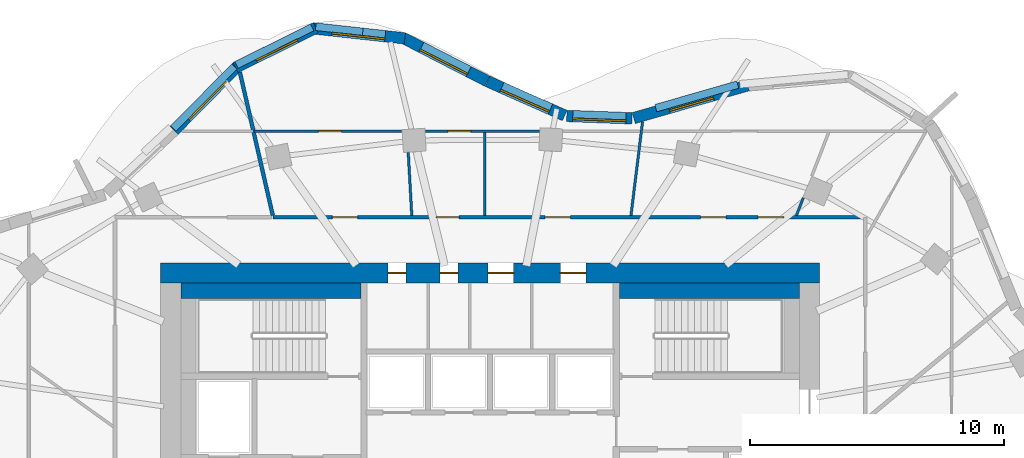
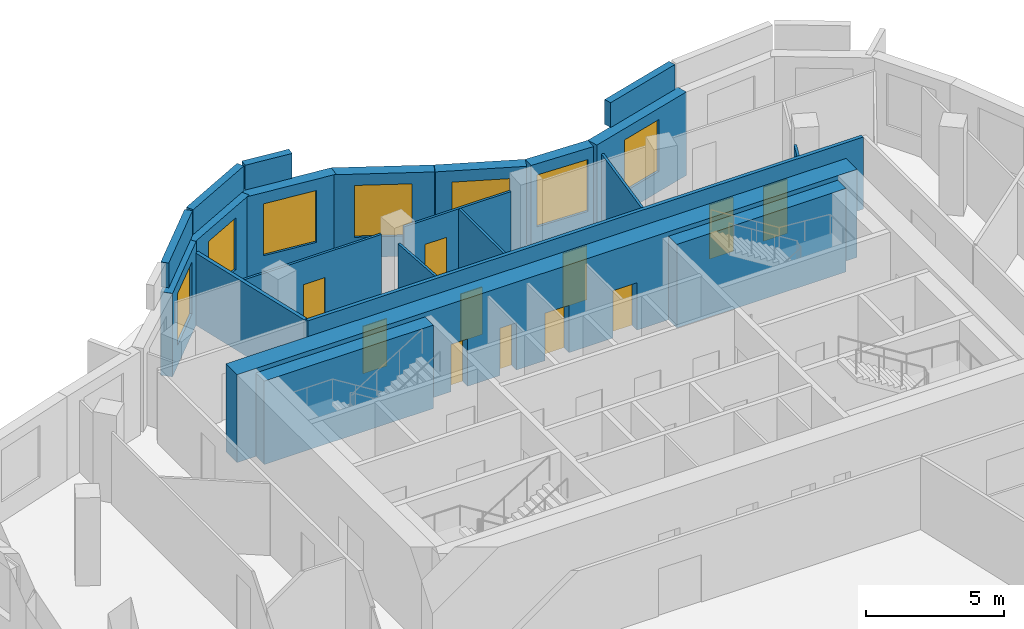
# One storey, part 7 of 9: 22 walls, 11 doors, 7 windows, 18 openings.
"""IFC4 building model written with IfcOpenShell, lengths in metres."""

from ifc_helpers import new_model, si_unit, direction, frame, frame_2d, origin, place, context, subcontext, project, spatial, rectangle, extrude, material, layer, layer_set, type_object, element, fill, save


model = new_model("IFC4")

# Units and contexts
model_context = context("Model", 3, precision=1e-05, world=origin(), true_north=direction((0.0, 1.0)))
body_context = subcontext(model_context, "Body", "Model", "MODEL_VIEW")
ifc_project = project(units=[si_unit("LENGTHUNIT", "METRE"), si_unit("AREAUNIT", "SQUARE_METRE"), si_unit("VOLUMEUNIT", "CUBIC_METRE"), si_unit("PLANEANGLEUNIT", "RADIAN"), si_unit("MASSUNIT", "GRAM", prefix="KILO")], contexts=[model_context])

# Site, building, storey
site_placement = place(None, origin())
site = spatial("IfcSite", under=ifc_project, at=site_placement, CompositionType="ELEMENT")
building_placement = place(site_placement, origin())
building = spatial("IfcBuilding", under=site, at=building_placement, Name="Rubra Terraces Tower", CompositionType="ELEMENT")
storey_placement = place(building_placement, frame((0.0, 0.0, 272.699951171875)))
storey = spatial("IfcBuildingStorey", under=building, at=storey_placement, Name="L67", CompositionType="ELEMENT", Elevation=272.699951171875)

# Wall, opening, window
ifc_material_1 = material(Name="Brick masonry red-brown", Category="masonry")
ifc_layer_1 = layer(ifc_material_1, 0.449951171875)
ifc_layer_set_1 = layer_set([ifc_layer_1], Name="Brick masonry red-brown")
wall_type_1 = type_object("IfcWallType", Name="Brick facade wall 450", PredefinedType="SOLIDWALL", material=ifc_layer_set_1)
wall_1_placement = place(storey_placement, frame((10.16748046875, 19.0068359375, 0.0), z_axis=(0.0, 0.0, 1.0), x_axis=(-0.961104057783, -0.276186513271, 0.0)))
wall_1 = element("IfcWall", 1, at=wall_1_placement, inside=storey, type_object=wall_type_1, Name="Facade wall L67 bay 8", PredefinedType="SOLIDWALL", context=body_context, shape_type="SweptSolid", body=[
    extrude(rectangle(XDim=4.68603515625, YDim=0.449951171875, at=frame_2d((2.343017578125, 0.0))), origin(), (0.0, 0.0, 1.0), 3.699951171875),
])
opening_1_placement = place(wall_1_placement, frame((1.443115234375, 0.0, 0.89990234375)))
opening_1 = element("IfcOpeningElement", 2, at=opening_1_placement, cuts=wall_1, Name="Opening W6B", PredefinedType="OPENING", context=body_context, shape_type="SweptSolid", body=[
    extrude(rectangle(XDim=1.800048828125, YDim=2.300048828125, at=frame_2d((0.89990234375, 1.14990234375))), frame((0.0, 0.23486328125, 0.0), z_axis=(0.0, -1.0, 0.0), x_axis=(1.0, 0.0, 0.0)), (0.0, 0.0, 1.0), 0.469970703125),
])
ifc_material_2 = material(Name="Clear glass in aluminium frame", Category="aluminium")
window_type_1 = type_object("IfcWindowType", Name="Fixed deep-set window at wind fin tall storey 1800 x 2300", PartitioningType="SINGLE_PANEL", PredefinedType="WINDOW", material=ifc_material_2)
window_1_placement = place(opening_1_placement, origin())
window_1 = element("IfcWindow", 3, at=window_1_placement, inside=storey, type_object=window_type_1, Name="Window L67 bay 8", OverallHeight=2.300048828125, OverallWidth=1.800048828125, PartitioningType="SINGLE_PANEL", PredefinedType="WINDOW", context=body_context, shape_type="SweptSolid", body=[
    extrude(rectangle(XDim=1.800048828125, YDim=2.300048828125, at=frame_2d((0.89990234375, 1.14990234375))), frame((0.0, 0.135009765625, 0.0), z_axis=(0.0, -1.0, 0.0), x_axis=(1.0, 0.0, 0.0)), (0.0, 0.0, 1.0), 0.06005859375),
])
fill(opening_1, window_1)

wall_2_placement = place(storey_placement, frame((5.593505859375, 17.7041015625, 0.0), z_axis=(0.0, 0.0, 1.0), x_axis=(-0.999339560591, 0.036337895349, 0.0)))
wall_2 = element("IfcWall", 4, at=wall_2_placement, inside=storey, type_object=wall_type_1, Name="Facade wall L67 bay 9", PredefinedType="SOLIDWALL", context=body_context, shape_type="SweptSolid", body=[
    extrude(rectangle(XDim=2.5732421875, YDim=0.449951171875, at=frame_2d((1.28662109375, 0.0))), origin(), (0.0, 0.0, 1.0), 3.699951171875),
])
opening_2_placement = place(wall_2_placement, frame((0.236572265625, 0.0, 0.89990234375)))
opening_2 = element("IfcOpeningElement", 5, at=opening_2_placement, cuts=wall_2, Name="Opening W1B", PredefinedType="OPENING", context=body_context, shape_type="SweptSolid", body=[
    extrude(rectangle(XDim=2.10009765625, YDim=2.300048828125, at=frame_2d((1.050048828125, 1.14990234375))), frame((0.0, 0.23486328125, 0.0), z_axis=(0.0, -1.0, 0.0), x_axis=(1.0, 0.0, 0.0)), (0.0, 0.0, 1.0), 0.469970703125),
])
window_type_2 = type_object("IfcWindowType", Name="Fixed deep-set window tall storey 2100 x 2300", PartitioningType="SINGLE_PANEL", PredefinedType="WINDOW", material=ifc_material_2)
window_2_placement = place(opening_2_placement, origin())
window_2 = element("IfcWindow", 6, at=window_2_placement, inside=storey, type_object=window_type_2, Name="Window L67 bay 9", OverallHeight=2.300048828125, OverallWidth=2.10009765625, PartitioningType="SINGLE_PANEL", PredefinedType="WINDOW", context=body_context, shape_type="SweptSolid", body=[
    extrude(rectangle(XDim=2.10009765625, YDim=2.300048828125, at=frame_2d((1.050048828125, 1.14990234375))), frame((0.0, 0.135009765625, 0.0), z_axis=(0.0, -1.0, 0.0), x_axis=(1.0, 0.0, 0.0)), (0.0, 0.0, 1.0), 0.06005859375),
])
fill(opening_2, window_2)

wall_3_placement = place(storey_placement, frame((2.941650390625, 17.815673828125, 0.0), z_axis=(0.0, 0.0, 1.0), x_axis=(-0.91414046241, 0.405397601109, 0.0)))
wall_3 = element("IfcWall", 7, at=wall_3_placement, inside=storey, type_object=wall_type_1, Name="Facade wall L67 bay 10", PredefinedType="SOLIDWALL", context=body_context, shape_type="SweptSolid", body=[
    extrude(rectangle(XDim=3.333251953125, YDim=0.449951171875, at=frame_2d((1.66650390625, 0.0))), origin(), (0.0, 0.0, 1.0), 3.699951171875),
])
opening_3_placement = place(wall_3_placement, frame((0.61669921875, 0.0, 0.89990234375)))
opening_3 = element("IfcOpeningElement", 8, at=opening_3_placement, cuts=wall_3, Name="Opening W1B", PredefinedType="OPENING", context=body_context, shape_type="SweptSolid", body=[
    extrude(rectangle(XDim=2.10009765625, YDim=2.300048828125, at=frame_2d((1.050048828125, 1.14990234375))), frame((0.0, 0.23486328125, 0.0), z_axis=(0.0, -1.0, 0.0), x_axis=(1.0, 0.0, 0.0)), (0.0, 0.0, 1.0), 0.469970703125),
])
window_3_placement = place(opening_3_placement, origin())
window_3 = element("IfcWindow", 9, at=window_3_placement, inside=storey, type_object=window_type_2, Name="Window L67 bay 10", OverallHeight=2.300048828125, OverallWidth=2.10009765625, PartitioningType="SINGLE_PANEL", PredefinedType="WINDOW", context=body_context, shape_type="SweptSolid", body=[
    extrude(rectangle(XDim=2.10009765625, YDim=2.300048828125, at=frame_2d((1.050048828125, 1.14990234375))), frame((0.0, 0.135009765625, 0.0), z_axis=(0.0, -1.0, 0.0), x_axis=(1.0, 0.0, 0.0)), (0.0, 0.0, 1.0), 0.06005859375),
])
fill(opening_3, window_3)

wall_4_placement = place(storey_placement, frame((-0.1171875, 19.172607421875, 0.0), z_axis=(0.0, 0.0, 1.0), x_axis=(-0.889471529144, 0.456990589446, 0.0)))
wall_4 = element("IfcWall", 10, at=wall_4_placement, inside=storey, type_object=wall_type_1, Name="Facade wall L67 bay 11", PredefinedType="SOLIDWALL", context=body_context, shape_type="SweptSolid", body=[
    extrude(rectangle(XDim=3.7353515625, YDim=0.449951171875, at=frame_2d((1.86767578125, 0.0))), origin(), (0.0, 0.0, 1.0), 3.699951171875),
])
opening_4_placement = place(wall_4_placement, frame((0.817626953125, 0.0, 0.89990234375)))
opening_4 = element("IfcOpeningElement", 11, at=opening_4_placement, cuts=wall_4, Name="Opening W1B", PredefinedType="OPENING", context=body_context, shape_type="SweptSolid", body=[
    extrude(rectangle(XDim=2.10009765625, YDim=2.300048828125, at=frame_2d((1.050048828125, 1.14990234375))), frame((0.0, 0.23486328125, 0.0), z_axis=(0.0, -1.0, 0.0), x_axis=(1.0, 0.0, 0.0)), (0.0, 0.0, 1.0), 0.469970703125),
])
window_4_placement = place(opening_4_placement, origin())
window_4 = element("IfcWindow", 12, at=window_4_placement, inside=storey, type_object=window_type_2, Name="Window L67 bay 11", OverallHeight=2.300048828125, OverallWidth=2.10009765625, PartitioningType="SINGLE_PANEL", PredefinedType="WINDOW", context=body_context, shape_type="SweptSolid", body=[
    extrude(rectangle(XDim=2.10009765625, YDim=2.300048828125, at=frame_2d((1.050048828125, 1.14990234375))), frame((0.0, 0.135009765625, 0.0), z_axis=(0.0, -1.0, 0.0), x_axis=(1.0, 0.0, 0.0)), (0.0, 0.0, 1.0), 0.06005859375),
])
fill(opening_4, window_4)

wall_5_placement = place(storey_placement, frame((-3.363525390625, 20.857421875, 0.0), z_axis=(0.0, 0.0, 1.0), x_axis=(-0.99407653264, 0.108682322638, 0.0)))
wall_5 = element("IfcWall", 13, at=wall_5_placement, inside=storey, type_object=wall_type_1, Name="Facade wall L67 bay 12", PredefinedType="SOLIDWALL", context=body_context, shape_type="SweptSolid", body=[
    extrude(rectangle(XDim=3.66162109375, YDim=0.449951171875, at=frame_2d((1.830810546875, 0.0))), origin(), (0.0, 0.0, 1.0), 3.699951171875),
])
opening_5_placement = place(wall_5_placement, frame((0.78076171875, 0.0, 0.89990234375)))
opening_5 = element("IfcOpeningElement", 14, at=opening_5_placement, cuts=wall_5, Name="Opening W1B", PredefinedType="OPENING", context=body_context, shape_type="SweptSolid", body=[
    extrude(rectangle(XDim=2.10009765625, YDim=2.300048828125, at=frame_2d((1.050048828125, 1.14990234375))), frame((0.0, 0.23486328125, 0.0), z_axis=(0.0, -1.0, 0.0), x_axis=(1.0, 0.0, 0.0)), (0.0, 0.0, 1.0), 0.469970703125),
])
window_5_placement = place(opening_5_placement, origin())
window_5 = element("IfcWindow", 15, at=window_5_placement, inside=storey, type_object=window_type_2, Name="Window L67 bay 12", OverallHeight=2.300048828125, OverallWidth=2.10009765625, PartitioningType="SINGLE_PANEL", PredefinedType="WINDOW", context=body_context, shape_type="SweptSolid", body=[
    extrude(rectangle(XDim=2.10009765625, YDim=2.300048828125, at=frame_2d((1.050048828125, 1.14990234375))), frame((0.0, 0.135009765625, 0.0), z_axis=(0.0, -1.0, 0.0), x_axis=(1.0, 0.0, 0.0)), (0.0, 0.0, 1.0), 0.06005859375),
])
fill(opening_5, window_5)

wall_6_placement = place(storey_placement, frame((-6.87890625, 21.277587890625, 0.0), z_axis=(0.0, 0.0, 1.0), x_axis=(-0.895268695224, -0.445526613517, 0.0)))
wall_6 = element("IfcWall", 16, at=wall_6_placement, inside=storey, type_object=wall_type_1, Name="Facade wall L67 bay 13", PredefinedType="SOLIDWALL", context=body_context, shape_type="SweptSolid", body=[
    extrude(rectangle(XDim=3.532958984375, YDim=0.449951171875, at=frame_2d((1.7666015625, 0.0))), origin(), (0.0, 0.0, 1.0), 3.699951171875),
])
opening_6_placement = place(wall_6_placement, frame((0.866455078125, 0.0, 0.89990234375)))
opening_6 = element("IfcOpeningElement", 17, at=opening_6_placement, cuts=wall_6, Name="Opening W6B", PredefinedType="OPENING", context=body_context, shape_type="SweptSolid", body=[
    extrude(rectangle(XDim=1.800048828125, YDim=2.300048828125, at=frame_2d((0.89990234375, 1.14990234375))), frame((0.0, 0.23486328125, 0.0), z_axis=(0.0, -1.0, 0.0), x_axis=(1.0, 0.0, 0.0)), (0.0, 0.0, 1.0), 0.469970703125),
])
window_6_placement = place(opening_6_placement, origin())
window_6 = element("IfcWindow", 18, at=window_6_placement, inside=storey, type_object=window_type_1, Name="Window L67 bay 13", OverallHeight=2.300048828125, OverallWidth=1.800048828125, PartitioningType="SINGLE_PANEL", PredefinedType="WINDOW", context=body_context, shape_type="SweptSolid", body=[
    extrude(rectangle(XDim=1.800048828125, YDim=2.300048828125, at=frame_2d((0.89990234375, 1.14990234375))), frame((0.0, 0.135009765625, 0.0), z_axis=(0.0, -1.0, 0.0), x_axis=(1.0, 0.0, 0.0)), (0.0, 0.0, 1.0), 0.06005859375),
])
fill(opening_6, window_6)

wall_7_placement = place(storey_placement, frame((-9.98388671875, 19.744873046875, 0.0), z_axis=(0.0, 0.0, 1.0), x_axis=(-0.701875966769, -0.712299183821, 0.0)))
wall_7 = element("IfcWall", 19, at=wall_7_placement, inside=storey, type_object=wall_type_1, Name="Facade wall L67 bay 14", PredefinedType="SOLIDWALL", context=body_context, shape_type="SweptSolid", body=[
    extrude(rectangle(XDim=3.536865234375, YDim=0.449951171875, at=frame_2d((1.7685546875, 0.0))), origin(), (0.0, 0.0, 1.0), 3.699951171875),
])
opening_7_placement = place(wall_7_placement, frame((0.71826171875, 0.0, 0.89990234375)))
opening_7 = element("IfcOpeningElement", 20, at=opening_7_placement, cuts=wall_7, Name="Opening W1B", PredefinedType="OPENING", context=body_context, shape_type="SweptSolid", body=[
    extrude(rectangle(XDim=2.10009765625, YDim=2.300048828125, at=frame_2d((1.050048828125, 1.14990234375))), frame((0.0, 0.23486328125, 0.0), z_axis=(0.0, -1.0, 0.0), x_axis=(1.0, 0.0, 0.0)), (0.0, 0.0, 1.0), 0.469970703125),
])
window_7_placement = place(opening_7_placement, origin())
window_7 = element("IfcWindow", 21, at=window_7_placement, inside=storey, type_object=window_type_2, Name="Window L67 bay 14", OverallHeight=2.300048828125, OverallWidth=2.10009765625, PartitioningType="SINGLE_PANEL", PredefinedType="WINDOW", context=body_context, shape_type="SweptSolid", body=[
    extrude(rectangle(XDim=2.10009765625, YDim=2.300048828125, at=frame_2d((1.050048828125, 1.14990234375))), frame((0.0, 0.135009765625, 0.0), z_axis=(0.0, -1.0, 0.0), x_axis=(1.0, 0.0, 0.0)), (0.0, 0.0, 1.0), 0.06005859375),
])
fill(opening_7, window_7)

# Walls
ifc_layer_2 = layer(ifc_material_1, 0.300048828125)
ifc_layer_set_2 = layer_set([ifc_layer_2], Name="Brick masonry red-brown")
wall_type_2 = type_object("IfcWallType", Name="Brick parapet 300", PredefinedType="PARAPET", material=ifc_layer_set_2)
wall_8_placement = place(storey_placement, frame((9.764892578125, 19.03369140625, 3.900146484375), z_axis=(0.0, 0.0, 1.0), x_axis=(-0.961095330658, -0.276216881069, 0.0)))
element("IfcWall", 22, at=wall_8_placement, inside=storey, type_object=wall_type_2, Name="Parapet L67 bay 8", PredefinedType="PARAPET", context=body_context, shape_type="SweptSolid", body=[
    extrude(rectangle(XDim=3.3623046875, YDim=0.300048828125, at=frame_2d((1.68115234375, 0.0))), origin(), (0.0, 0.0, 1.0), 1.099853515625),
])
wall_9_placement = place(storey_placement, frame((-5.024658203125, 21.114501953125, 3.900146484375), z_axis=(0.0, 0.0, 1.0), x_axis=(-0.99407545077, 0.108692217644, 0.0)))
element("IfcWall", 23, at=wall_9_placement, inside=storey, type_object=wall_type_2, Name="Parapet L67 bay 12", PredefinedType="PARAPET", context=body_context, shape_type="SweptSolid", body=[
    extrude(rectangle(XDim=1.8642578125, YDim=0.300048828125, at=frame_2d((0.93212890625, 0.0))), origin(), (0.0, 0.0, 1.0), 1.099853515625),
])
wall_10_placement = place(storey_placement, frame((-7.017822265625, 21.2919921875, 3.900146484375), z_axis=(0.0, 0.0, 1.0), x_axis=(-0.895289404401, -0.445484996793, 0.0)))
element("IfcWall", 24, at=wall_10_placement, inside=storey, type_object=wall_type_2, Name="Parapet L67 bay 13", PredefinedType="PARAPET", context=body_context, shape_type="SweptSolid", body=[
    extrude(rectangle(XDim=3.334716796875, YDim=0.300048828125, at=frame_2d((1.66748046875, 0.0))), origin(), (0.0, 0.0, 1.0), 1.099853515625),
])
wall_11_placement = place(storey_placement, frame((-10.09130859375, 19.74267578125, 3.900146484375), z_axis=(0.0, 0.0, 1.0), x_axis=(-0.701890602001, -0.712284762453, 0.0)))
element("IfcWall", 25, at=wall_11_placement, inside=storey, type_object=wall_type_2, Name="Parapet L67 bay 14", PredefinedType="PARAPET", context=body_context, shape_type="SweptSolid", body=[
    extrude(rectangle(XDim=3.42919921875, YDim=0.300048828125, at=frame_2d((1.714599609375, 0.0))), origin(), (0.0, 0.0, 1.0), 1.099853515625),
])

# Wall, openings, doors
ifc_material_3 = material(Name="Concrete C50", Category="concrete")
ifc_layer_3 = layer(ifc_material_3, 0.800048828125)
ifc_layer_set_3 = layer_set([ifc_layer_3], Name="Concrete C50")
wall_type_3 = type_object("IfcWallType", Name="CORE WALL 800 C50", PredefinedType="SHEAR", material=ifc_layer_set_3)
wall_12_placement = place(storey_placement, frame((-13.0, 11.60009765625, 0.0), z_axis=(0.0, 0.0, 1.0), x_axis=(1.0, 0.0, 0.0)))
wall_12 = element("IfcWall", 26, at=wall_12_placement, inside=storey, type_object=wall_type_3, Name="CORE WALL N L67", PredefinedType="SHEAR", context=body_context, shape_type="SweptSolid", body=[
    extrude(rectangle(XDim=26.0, YDim=0.800048828125, at=frame_2d((13.0, 0.0))), origin(), (0.0, 0.0, 1.0), 3.900146484375),
])
opening_8_placement = place(wall_12_placement, frame((8.97509765625, 0.0, 0.0)))
opening_8 = element("IfcOpeningElement", 27, at=opening_8_placement, cuts=wall_12, Name="Opening L67.C25", PredefinedType="OPENING", context=body_context, shape_type="SweptSolid", body=[
    extrude(rectangle(XDim=0.699951171875, YDim=2.10009765625, at=frame_2d((0.35009765625, 1.050048828125))), frame((0.0, 0.409912109375, 0.0), z_axis=(0.0, -1.0, 0.0), x_axis=(1.0, 0.0, 0.0)), (0.0, 0.0, 1.0), 0.820068359375),
])
opening_9_placement = place(wall_12_placement, frame((11.02490234375, 0.0, 0.0)))
opening_9 = element("IfcOpeningElement", 28, at=opening_9_placement, cuts=wall_12, Name="Opening L67.C26", PredefinedType="OPENING", context=body_context, shape_type="SweptSolid", body=[
    extrude(rectangle(XDim=0.699951171875, YDim=2.10009765625, at=frame_2d((0.35009765625, 1.050048828125))), frame((0.0, 0.409912109375, 0.0), z_axis=(0.0, -1.0, 0.0), x_axis=(1.0, 0.0, 0.0)), (0.0, 0.0, 1.0), 0.820068359375),
])
opening_10_placement = place(wall_12_placement, frame((12.925048828125, 0.0, 0.0)))
opening_10 = element("IfcOpeningElement", 29, at=opening_10_placement, cuts=wall_12, Name="Opening L67.C27", PredefinedType="OPENING", context=body_context, shape_type="SweptSolid", body=[
    extrude(rectangle(XDim=1.0, YDim=2.10009765625, at=frame_2d((0.5, 1.050048828125))), frame((0.0, 0.409912109375, 0.0), z_axis=(0.0, -1.0, 0.0), x_axis=(1.0, 0.0, 0.0)), (0.0, 0.0, 1.0), 0.820068359375),
])
opening_11_placement = place(wall_12_placement, frame((15.77490234375, 0.0, 0.0)))
opening_11 = element("IfcOpeningElement", 30, at=opening_11_placement, cuts=wall_12, Name="Opening L67.C28", PredefinedType="OPENING", context=body_context, shape_type="SweptSolid", body=[
    extrude(rectangle(XDim=1.0, YDim=2.10009765625, at=frame_2d((0.5, 1.050048828125))), frame((0.0, 0.409912109375, 0.0), z_axis=(0.0, -1.0, 0.0), x_axis=(1.0, 0.0, 0.0)), (0.0, 0.0, 1.0), 0.820068359375),
])
ifc_material_4 = material(Name="Painted steel", Category="steel")
door_type_1 = type_object("IfcDoorType", Name="Fire door 1000x2100 single", OperationType="NOTDEFINED", PredefinedType="DOOR", material=ifc_material_4)
door_1_placement = place(opening_10_placement, origin())
door_1 = element("IfcDoor", 31, at=door_1_placement, inside=storey, type_object=door_type_1, Name="Guest pantry door", OperationType="SINGLE_SWING_LEFT", OverallHeight=2.10009765625, OverallWidth=1.0, PredefinedType="DOOR", context=body_context, shape_type="SweptSolid", body=[
    extrude(rectangle(XDim=1.0, YDim=2.10009765625, at=frame_2d((0.5, 1.050048828125))), frame((0.0, 0.02490234375, 0.0), z_axis=(0.0, -1.0, 0.0), x_axis=(1.0, 0.0, 0.0)), (0.0, 0.0, 1.0), 0.050048828125),
])
fill(opening_10, door_1)
door_2_placement = place(opening_11_placement, origin())
door_2 = element("IfcDoor", 32, at=door_2_placement, inside=storey, type_object=door_type_1, Name="Security and building control room door", OperationType="SINGLE_SWING_RIGHT", OverallHeight=2.10009765625, OverallWidth=1.0, PredefinedType="DOOR", context=body_context, shape_type="SweptSolid", body=[
    extrude(rectangle(XDim=1.0, YDim=2.10009765625, at=frame_2d((0.5, 1.050048828125))), frame((0.0, 0.02490234375, 0.0), z_axis=(0.0, -1.0, 0.0), x_axis=(1.0, 0.0, 0.0)), (0.0, 0.0, 1.0), 0.050048828125),
])
fill(opening_11, door_2)
door_type_2 = type_object("IfcDoorType", Name="Riser access door 700x2100 single", OperationType="NOTDEFINED", PredefinedType="DOOR", material=ifc_material_4)
door_3_placement = place(opening_8_placement, origin())
door_3 = element("IfcDoor", 33, at=door_3_placement, inside=storey, type_object=door_type_2, Name="Electrical riser room door", OperationType="SINGLE_SWING_LEFT", OverallHeight=2.10009765625, OverallWidth=0.699951171875, PredefinedType="DOOR", context=body_context, shape_type="SweptSolid", body=[
    extrude(rectangle(XDim=0.699951171875, YDim=2.10009765625, at=frame_2d((0.35009765625, 1.050048828125))), frame((0.0, 0.02490234375, 0.0), z_axis=(0.0, -1.0, 0.0), x_axis=(1.0, 0.0, 0.0)), (0.0, 0.0, 1.0), 0.050048828125),
])
fill(opening_8, door_3)
door_4_placement = place(opening_9_placement, origin())
door_4 = element("IfcDoor", 34, at=door_4_placement, inside=storey, type_object=door_type_2, Name="Water and drainage riser door", OperationType="SINGLE_SWING_RIGHT", OverallHeight=2.10009765625, OverallWidth=0.699951171875, PredefinedType="DOOR", context=body_context, shape_type="SweptSolid", body=[
    extrude(rectangle(XDim=0.699951171875, YDim=2.10009765625, at=frame_2d((0.35009765625, 1.050048828125))), frame((0.0, 0.02490234375, 0.0), z_axis=(0.0, -1.0, 0.0), x_axis=(1.0, 0.0, 0.0)), (0.0, 0.0, 1.0), 0.050048828125),
])
fill(opening_9, door_4)

ifc_material_5 = material(Name="Plasterboard on steel stud, mineral wool infill", Category="steel")
ifc_layer_4 = layer(ifc_material_5, 0.14990234375)
ifc_layer_set_4 = layer_set([ifc_layer_4], Name="Plasterboard on steel stud, mineral wool infill")
wall_type_4 = type_object("IfcWallType", Name="CORRIDOR PARTITION 150", PredefinedType="PARTITIONING", material=ifc_layer_set_4)
wall_13_placement = place(storey_placement, frame((14.72509765625, 13.800048828125, 0.0), z_axis=(0.0, 0.0, 1.0), x_axis=(-1.0, 0.0, 0.0)))
wall_13 = element("IfcWall", 35, at=wall_13_placement, inside=storey, type_object=wall_type_4, Name="PARTITION", PredefinedType="PARTITIONING", context=body_context, shape_type="SweptSolid", body=[
    extrude(rectangle(XDim=23.28076171875, YDim=0.14990234375, at=frame_2d((11.640380859375, 0.0))), origin(), (0.0, 0.0, 1.0), 3.197998046875),
])
opening_12_placement = place(wall_13_placement, frame((3.14990234375, 0.0, 0.0)))
opening_12 = element("IfcOpeningElement", 36, at=opening_12_placement, cuts=wall_13, Name="Opening 67-102", PredefinedType="OPENING", context=body_context, shape_type="SweptSolid", body=[
    extrude(rectangle(XDim=1.0, YDim=2.39990234375, at=frame_2d((0.5, 1.199951171875))), frame((0.0, 0.0849609375, 0.0), z_axis=(0.0, -1.0, 0.0), x_axis=(1.0, 0.0, 0.0)), (0.0, 0.0, 1.0), 0.169921875),
])
opening_13_placement = place(wall_13_placement, frame((5.425048828125, 0.0, 0.0)))
opening_13 = element("IfcOpeningElement", 37, at=opening_13_placement, cuts=wall_13, Name="Opening 67-103", PredefinedType="OPENING", context=body_context, shape_type="SweptSolid", body=[
    extrude(rectangle(XDim=1.0, YDim=2.39990234375, at=frame_2d((0.5, 1.199951171875))), frame((0.0, 0.0849609375, 0.0), z_axis=(0.0, -1.0, 0.0), x_axis=(1.0, 0.0, 0.0)), (0.0, 0.0, 1.0), 0.169921875),
])
opening_14_placement = place(wall_13_placement, frame((11.55810546875, 0.0, 0.0)))
opening_14 = element("IfcOpeningElement", 38, at=opening_14_placement, cuts=wall_13, Name="Opening 67-104", PredefinedType="OPENING", context=body_context, shape_type="SweptSolid", body=[
    extrude(rectangle(XDim=1.0, YDim=2.39990234375, at=frame_2d((0.5, 1.199951171875))), frame((0.0, 0.0849609375, 0.0), z_axis=(0.0, -1.0, 0.0), x_axis=(1.0, 0.0, 0.0)), (0.0, 0.0, 1.0), 0.169921875),
])
opening_15_placement = place(wall_13_placement, frame((15.949951171875, 0.0, 0.0)))
opening_15 = element("IfcOpeningElement", 39, at=opening_15_placement, cuts=wall_13, Name="Opening 67-119", PredefinedType="OPENING", context=body_context, shape_type="SweptSolid", body=[
    extrude(rectangle(XDim=0.89990234375, YDim=2.10009765625, at=frame_2d((0.449951171875, 1.050048828125))), frame((0.0, 0.0849609375, 0.0), z_axis=(0.0, -1.0, 0.0), x_axis=(1.0, 0.0, 0.0)), (0.0, 0.0, 1.0), 0.169921875),
])
opening_16_placement = place(wall_13_placement, frame((19.949951171875, 0.0, 0.0)))
opening_16 = element("IfcOpeningElement", 40, at=opening_16_placement, cuts=wall_13, Name="Opening 67-120", PredefinedType="OPENING", context=body_context, shape_type="SweptSolid", body=[
    extrude(rectangle(XDim=1.0, YDim=2.10009765625, at=frame_2d((0.5, 1.050048828125))), frame((0.0, 0.0849609375, 0.0), z_axis=(0.0, -1.0, 0.0), x_axis=(1.0, 0.0, 0.0)), (0.0, 0.0, 1.0), 0.169921875),
])
ifc_material_6 = material(Name="Painted timber door leaf", Category="wood")
door_type_3 = type_object("IfcDoorType", Name="BATHROOM DOOR 900 X 2100", OperationType="SINGLE_SWING_LEFT", PredefinedType="DOOR", material=ifc_material_6)
door_5_placement = place(opening_15_placement, origin())
door_5 = element("IfcDoor", 41, at=door_5_placement, inside=storey, type_object=door_type_3, Name="DOOR 67-119", OperationType="SINGLE_SWING_RIGHT", OverallHeight=2.10009765625, OverallWidth=0.89990234375, PredefinedType="DOOR", context=body_context, shape_type="SweptSolid", body=[
    extrude(rectangle(XDim=0.89990234375, YDim=2.10009765625, at=frame_2d((0.449951171875, 1.050048828125))), frame((0.0, 0.02490234375, 0.0), z_axis=(0.0, -1.0, 0.0), x_axis=(1.0, 0.0, 0.0)), (0.0, 0.0, 1.0), 0.050048828125),
])
fill(opening_15, door_5)
ifc_material_7 = material(Name="Glazed aluminium meeting door leaf", Category="aluminium")
door_type_4 = type_object("IfcDoorType", Name="MEETING ROOM GLAZED DOOR 1000 X 2400", OperationType="SINGLE_SWING_LEFT", PredefinedType="DOOR", material=ifc_material_7)
door_6_placement = place(opening_12_placement, origin())
door_6 = element("IfcDoor", 42, at=door_6_placement, inside=storey, type_object=door_type_4, Name="DOOR 67-102", OperationType="SINGLE_SWING_RIGHT", OverallHeight=2.39990234375, OverallWidth=1.0, PredefinedType="DOOR", context=body_context, shape_type="SweptSolid", body=[
    extrude(rectangle(XDim=1.0, YDim=2.39990234375, at=frame_2d((0.5, 1.199951171875))), frame((0.0, 0.02490234375, 0.0), z_axis=(0.0, -1.0, 0.0), x_axis=(1.0, 0.0, 0.0)), (0.0, 0.0, 1.0), 0.050048828125),
])
fill(opening_12, door_6)
door_7_placement = place(opening_13_placement, origin())
door_7 = element("IfcDoor", 43, at=door_7_placement, inside=storey, type_object=door_type_4, Name="DOOR 67-103", OperationType="SINGLE_SWING_RIGHT", OverallHeight=2.39990234375, OverallWidth=1.0, PredefinedType="DOOR", context=body_context, shape_type="SweptSolid", body=[
    extrude(rectangle(XDim=1.0, YDim=2.39990234375, at=frame_2d((0.5, 1.199951171875))), frame((0.0, 0.02490234375, 0.0), z_axis=(0.0, -1.0, 0.0), x_axis=(1.0, 0.0, 0.0)), (0.0, 0.0, 1.0), 0.050048828125),
])
fill(opening_13, door_7)
door_8_placement = place(opening_14_placement, origin())
door_8 = element("IfcDoor", 44, at=door_8_placement, inside=storey, type_object=door_type_4, Name="DOOR 67-104", OperationType="SINGLE_SWING_RIGHT", OverallHeight=2.39990234375, OverallWidth=1.0, PredefinedType="DOOR", context=body_context, shape_type="SweptSolid", body=[
    extrude(rectangle(XDim=1.0, YDim=2.39990234375, at=frame_2d((0.5, 1.199951171875))), frame((0.0, 0.02490234375, 0.0), z_axis=(0.0, -1.0, 0.0), x_axis=(1.0, 0.0, 0.0)), (0.0, 0.0, 1.0), 0.050048828125),
])
fill(opening_14, door_8)
door_type_5 = type_object("IfcDoorType", Name="ROOM DOOR 1000 X 2100", OperationType="SINGLE_SWING_LEFT", PredefinedType="DOOR", material=ifc_material_6)
door_9_placement = place(opening_16_placement, origin())
door_9 = element("IfcDoor", 45, at=door_9_placement, inside=storey, type_object=door_type_5, Name="DOOR 67-120", OperationType="SINGLE_SWING_RIGHT", OverallHeight=2.10009765625, OverallWidth=1.0, PredefinedType="DOOR", context=body_context, shape_type="SweptSolid", body=[
    extrude(rectangle(XDim=1.0, YDim=2.10009765625, at=frame_2d((0.5, 1.050048828125))), frame((0.0, 0.02490234375, 0.0), z_axis=(0.0, -1.0, 0.0), x_axis=(1.0, 0.0, 0.0)), (0.0, 0.0, 1.0), 0.050048828125),
])
fill(opening_16, door_9)

# Walls
ifc_material_8 = material(Name="Concrete C40", Category="concrete")
ifc_layer_5 = layer(ifc_material_8, 0.60009765625)
ifc_layer_set_5 = layer_set([ifc_layer_5], Name="Concrete C40")
wall_type_5 = type_object("IfcWallType", Name="Core lining wall 600 concrete", PredefinedType="SOLIDWALL", material=ifc_layer_set_5)
for number, where, z_axis, x_axis, name in (
    (46, (-12.199951171875, 10.89990234375, 0.0), (0.0, 0.0, 1.0), (1.0, 0.0, 0.0), "CORE LINING WALL L67"),
    (47, (12.199951171875, 10.89990234375, 0.0), (0.0, 0.0, 1.0), (-1.0, 0.0, 0.0), "CORE LINING WALL L67"),
):
    element("IfcWall", number, at=place(storey_placement, frame(where, z_axis=z_axis, x_axis=x_axis)), inside=storey, type_object=wall_type_5, Name=name, PredefinedType="SOLIDWALL", context=body_context, shape_type="SweptSolid", body=[
        extrude(rectangle(XDim=7.099853515625, YDim=0.60009765625, at=frame_2d((3.5498046875, 0.0))), origin(), (0.0, 0.0, 1.0), 3.699951171875),
    ])

# Wall, opening, door
ifc_material_9 = material(Name="Plasterboard on steel stud", Category="steel")
ifc_layer_6 = layer(ifc_material_9, 0.10009765625)
ifc_layer_set_6 = layer_set([ifc_layer_6], Name="Plasterboard on steel stud")
wall_type_6 = type_object("IfcWallType", Name="ROOM PARTITION 100", PredefinedType="PARTITIONING", material=ifc_layer_set_6)
wall_14_placement = place(storey_placement, frame((-9.31689453125, 17.199951171875, 0.0), z_axis=(0.0, 0.0, 1.0), x_axis=(1.0, 0.0, 0.0)))
wall_14 = element("IfcWall", 48, at=wall_14_placement, inside=storey, type_object=wall_type_6, Name="PARTITION", PredefinedType="PARTITIONING", context=body_context, shape_type="SweptSolid", body=[
    extrude(rectangle(XDim=5.82421875, YDim=0.10009765625, at=frame_2d((2.912109375, 0.0))), origin(), (0.0, 0.0, 1.0), 3.18408203125),
])
opening_17_placement = place(wall_14_placement, frame((2.552001953125, 0.0, 0.0)))
opening_17 = element("IfcOpeningElement", 49, at=opening_17_placement, cuts=wall_14, Name="Opening 67-106", PredefinedType="OPENING", context=body_context, shape_type="SweptSolid", body=[
    extrude(rectangle(XDim=0.89990234375, YDim=2.10009765625, at=frame_2d((0.449951171875, 1.050048828125))), frame((0.0, 0.06005859375, 0.0), z_axis=(0.0, -1.0, 0.0), x_axis=(1.0, 0.0, 0.0)), (0.0, 0.0, 1.0), 0.1201171875),
])
door_type_6 = type_object("IfcDoorType", Name="ROOM DOOR 900 X 2100", OperationType="SINGLE_SWING_LEFT", PredefinedType="DOOR", material=ifc_material_6)
door_10_placement = place(opening_17_placement, origin())
door_10 = element("IfcDoor", 50, at=door_10_placement, inside=storey, type_object=door_type_6, Name="DOOR 67-106", OperationType="SINGLE_SWING_LEFT", OverallHeight=2.10009765625, OverallWidth=0.89990234375, PredefinedType="DOOR", context=body_context, shape_type="SweptSolid", body=[
    extrude(rectangle(XDim=0.89990234375, YDim=2.10009765625, at=frame_2d((0.449951171875, 1.050048828125))), frame((0.0, 0.02490234375, 0.0), z_axis=(0.0, -1.0, 0.0), x_axis=(1.0, 0.0, 0.0)), (0.0, 0.0, 1.0), 0.050048828125),
])
fill(opening_17, door_10)

wall_15_placement = place(storey_placement, frame((-2.55078125, 17.199951171875, 0.0), z_axis=(0.0, 0.0, 1.0), x_axis=(1.0, 0.0, 0.0)))
wall_15 = element("IfcWall", 51, at=wall_15_placement, inside=storey, type_object=wall_type_6, Name="PARTITION", PredefinedType="PARTITIONING", context=body_context, shape_type="SweptSolid", body=[
    extrude(rectangle(XDim=4.48876953125, YDim=0.10009765625, at=frame_2d((2.244384765625, 0.0))), origin(), (0.0, 0.0, 1.0), 3.18408203125),
])
opening_18_placement = place(wall_15_placement, frame((0.884033203125, 0.0, 0.0)))
opening_18 = element("IfcOpeningElement", 52, at=opening_18_placement, cuts=wall_15, Name="Opening 67-105", PredefinedType="OPENING", context=body_context, shape_type="SweptSolid", body=[
    extrude(rectangle(XDim=0.89990234375, YDim=2.10009765625, at=frame_2d((0.449951171875, 1.050048828125))), frame((0.0, 0.06005859375, 0.0), z_axis=(0.0, -1.0, 0.0), x_axis=(1.0, 0.0, 0.0)), (0.0, 0.0, 1.0), 0.1201171875),
])
door_11_placement = place(opening_18_placement, origin())
door_11 = element("IfcDoor", 53, at=door_11_placement, inside=storey, type_object=door_type_6, Name="DOOR 67-105", OperationType="SINGLE_SWING_LEFT", OverallHeight=2.10009765625, OverallWidth=0.89990234375, PredefinedType="DOOR", context=body_context, shape_type="SweptSolid", body=[
    extrude(rectangle(XDim=0.89990234375, YDim=2.10009765625, at=frame_2d((0.449951171875, 1.050048828125))), frame((0.0, 0.02490234375, 0.0), z_axis=(0.0, -1.0, 0.0), x_axis=(1.0, 0.0, 0.0)), (0.0, 0.0, 1.0), 0.050048828125),
])
fill(opening_18, door_11)

# Walls
wall_16_placement = place(storey_placement, frame((12.081298828125, 13.869873046875, 0.0), z_axis=(0.0, 0.0, 1.0), x_axis=(0.362114440247, 0.932133645013, 0.0)))
element("IfcWall", 54, at=wall_16_placement, inside=storey, type_object=wall_type_6, Name="PARTITION", PredefinedType="PARTITIONING", context=body_context, shape_type="SweptSolid", body=[
    extrude(rectangle(XDim=0.74560546875, YDim=0.10009765625, at=frame_2d((0.372802734375, 0.0))), origin(), (0.0, 0.0, 1.0), 3.18408203125),
])
wall_17_placement = place(storey_placement, frame((5.555908203125, 13.87451171875, 0.0), z_axis=(0.0, 0.0, 1.0), x_axis=(0.122573624649, 0.99245942312, 0.0)))
element("IfcWall", 55, at=wall_17_placement, inside=storey, type_object=wall_type_6, Name="PARTITION", PredefinedType="PARTITIONING", context=body_context, shape_type="SweptSolid", body=[
    extrude(rectangle(XDim=3.72265625, YDim=0.10009765625, at=frame_2d((1.861328125, 0.0))), origin(), (0.0, 0.0, 1.0), 3.18408203125),
])
wall_18_placement = place(storey_placement, frame((-0.214111328125, 13.875, 0.0), z_axis=(0.0, 0.0, 1.0), x_axis=(-0.002161915329, 0.999997663058, 0.0)))
element("IfcWall", 56, at=wall_18_placement, inside=storey, type_object=wall_type_6, Name="PARTITION", PredefinedType="PARTITIONING", context=body_context, shape_type="SweptSolid", body=[
    extrude(rectangle(XDim=3.27490234375, YDim=0.10009765625, at=frame_2d((1.637451171875, 0.0))), origin(), (0.0, 0.0, 1.0), 3.18408203125),
])
wall_19_placement = place(storey_placement, frame((-3.0908203125, 13.875, 0.0), z_axis=(0.0, 0.0, 1.0), x_axis=(-0.056026259288, 0.998429295579, 0.0)))
element("IfcWall", 57, at=wall_19_placement, inside=storey, type_object=wall_type_6, Name="PARTITION", PredefinedType="PARTITIONING", context=body_context, shape_type="SweptSolid", body=[
    extrude(rectangle(XDim=2.4794921875, YDim=0.10009765625, at=frame_2d((1.23974609375, 0.0))), origin(), (0.0, 0.0, 1.0), 3.18408203125),
])
ifc_layer_7 = layer(ifc_material_9, 0.14990234375)
ifc_layer_set_7 = layer_set([ifc_layer_7], Name="Plasterboard on steel stud")
wall_type_7 = type_object("IfcWallType", Name="ROOM PARTITION 150", PredefinedType="PARTITIONING", material=ifc_layer_set_7)
wall_20_placement = place(storey_placement, frame((-9.873291015625, 19.531005859375, 0.0), z_axis=(0.0, 0.0, 1.0), x_axis=(0.22405782682, -0.974575851456, 0.0)))
element("IfcWall", 58, at=wall_20_placement, inside=storey, type_object=wall_type_7, Name="PARTITION", PredefinedType="PARTITIONING", context=body_context, shape_type="SweptSolid", body=[
    extrude(rectangle(XDim=5.8056640625, YDim=0.14990234375, at=frame_2d((2.90283203125, 0.0))), origin(), (0.0, 0.0, 1.0), 3.197998046875),
])

save(model, "model.ifc")
